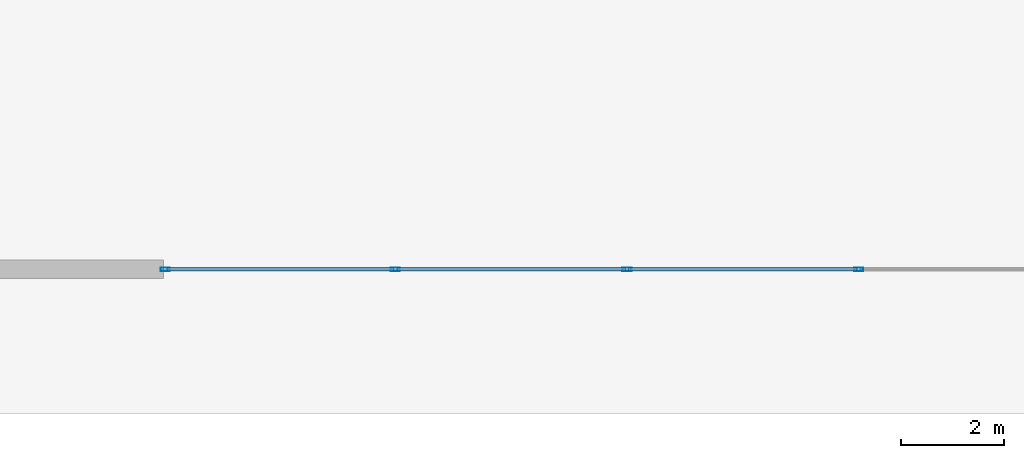
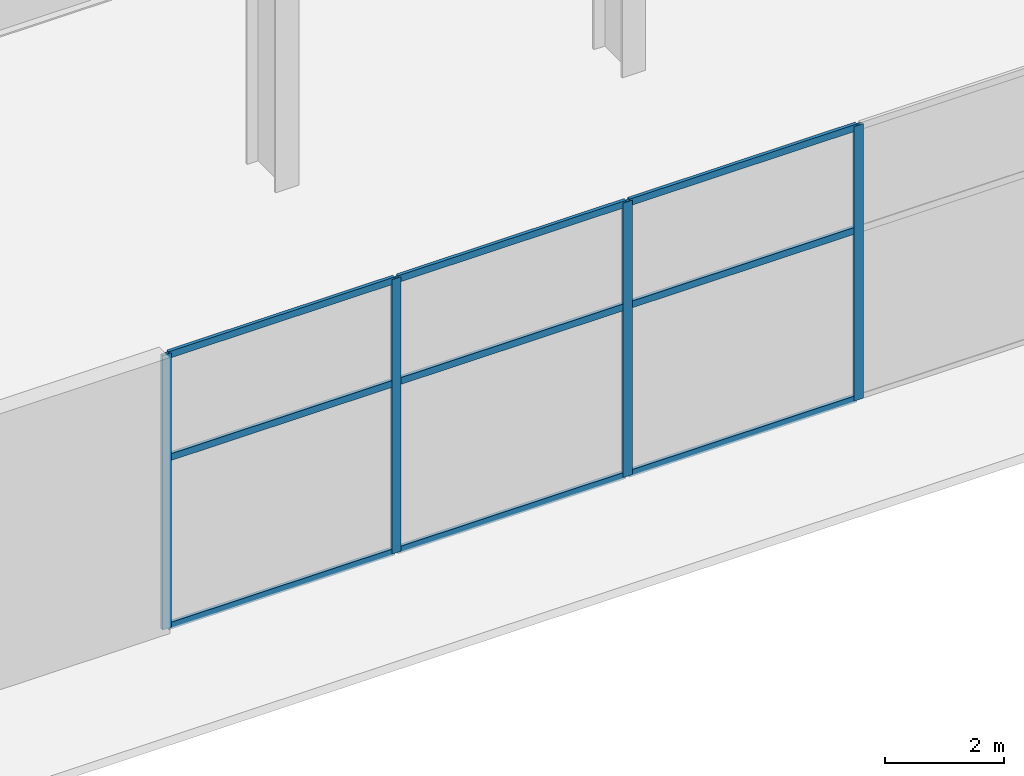
# One storey, part 4 of 30: 13 members, 1 element without a shape of its own.
"""IFC4 building model written with IfcOpenShell, lengths in metres."""

from ifc_helpers import new_model, si_unit, direction, frame, origin, origin_2d, place, context, subcontext, project, spatial, hollow_rectangle, extrude, material, layer, layer_set, material_profile, profile_set, type_object, element, aggregate, save


model = new_model("IFC4")

# Units and contexts
model_context = context("Model", 3, precision=1e-05, world=origin(), true_north=direction((0.0, 1.0)))
body_context = subcontext(model_context, "Body", "Model", "MODEL_VIEW")
ifc_project = project(units=[si_unit("LENGTHUNIT", "METRE"), si_unit("AREAUNIT", "SQUARE_METRE"), si_unit("VOLUMEUNIT", "CUBIC_METRE"), si_unit("PLANEANGLEUNIT", "RADIAN"), si_unit("MASSUNIT", "GRAM", prefix="KILO")], contexts=[model_context])

# Site, building, storey
site_placement = place(None, origin())
site = spatial("IfcSite", under=ifc_project, at=site_placement, CompositionType="ELEMENT")
building_placement = place(site_placement, origin())
building = spatial("IfcBuilding", under=site, at=building_placement, Name="Haevon Station Towers", CompositionType="ELEMENT")
storey_placement = place(building_placement, origin())
storey = spatial("IfcBuildingStorey", under=building, at=storey_placement, Name="L00", CompositionType="ELEMENT", Elevation=0.0)

# Curtain wall, members
ifc_material_1 = material(Name="Anodised aluminium and Low-E double glazing", Category="aluminium")
ifc_layer = layer(ifc_material_1, 0.179931640625)
ifc_layer_set = layer_set([ifc_layer], Name="Anodised aluminium and Low-E double glazing")
curtain_wall_type = type_object("IfcCurtainWallType", Name="CW-SYS1", PredefinedType="NOTDEFINED", material=ifc_layer_set)
curtain_wall_placement = place(storey_placement, origin())
curtain_wall = element("IfcCurtainWall", 1, at=curtain_wall_placement, inside=storey, type_object=curtain_wall_type, Name="L00 Curtain Wall CW-POD-L00-S2", PredefinedType="NOTDEFINED")
ifc_material_2 = material(Name="Anodised aluminium 6063-T6", Category="aluminium")
ifc_material_profile_1 = material_profile(ifc_material_2, hollow_rectangle(XDim=0.06494140625, YDim=0.179931640625, WallThickness=0.00390625, at=origin_2d()), Name="CWM-180x65x4")
ifc_profile_set_1 = profile_set([ifc_material_profile_1], Name="Anodised aluminium 6063-T6")
member_type_1 = type_object("IfcMemberType", Name="CWM-180", PredefinedType="MULLION", material=ifc_profile_set_1)
member_1_placement = place(storey_placement, frame((49.5, 4.5, 0.0), z_axis=(0.0, 0.0, 1.0), x_axis=(0.0, -1.0, 0.0)))
member_1 = element("IfcMember", 2, at=member_1_placement, type_object=member_type_1, Name="CW-SYS1 mullion 2", PredefinedType="MULLION", context=body_context, shape_type="SweptSolid", body=[
    extrude(hollow_rectangle(XDim=0.06494140625, YDim=0.179931640625, WallThickness=0.00390625, at=origin_2d()), origin(), (0.0, 0.0, 1.0), 5.64990234375),
])
member_2_placement = place(storey_placement, frame((45.0, 4.5, 0.0), z_axis=(0.0, 0.0, 1.0), x_axis=(0.0, -1.0, 0.0)))
member_2 = element("IfcMember", 3, at=member_2_placement, type_object=member_type_1, Name="CW-SYS1 mullion 3", PredefinedType="MULLION", context=body_context, shape_type="SweptSolid", body=[
    extrude(hollow_rectangle(XDim=0.06494140625, YDim=0.179931640625, WallThickness=0.00390625, at=origin_2d()), origin(), (0.0, 0.0, 1.0), 5.64990234375),
])
member_3_placement = place(storey_placement, frame((40.5, 4.5, 0.0), z_axis=(0.0, 0.0, 1.0), x_axis=(0.0, -1.0, 0.0)))
member_3 = element("IfcMember", 4, at=member_3_placement, type_object=member_type_1, Name="CW-SYS1 mullion 4", PredefinedType="MULLION", context=body_context, shape_type="SweptSolid", body=[
    extrude(hollow_rectangle(XDim=0.06494140625, YDim=0.179931640625, WallThickness=0.00390625, at=origin_2d()), origin(), (0.0, 0.0, 1.0), 5.64990234375),
])
member_4_placement = place(storey_placement, frame((36.032470703125, 4.5, 0.0), z_axis=(0.0, 0.0, 1.0), x_axis=(0.0, -1.0, 0.0)))
member_4 = element("IfcMember", 5, at=member_4_placement, type_object=member_type_1, Name="CW-SYS1 mullion 5", PredefinedType="MULLION", context=body_context, shape_type="SweptSolid", body=[
    extrude(hollow_rectangle(XDim=0.06494140625, YDim=0.179931640625, WallThickness=0.00390625, at=origin_2d()), origin(), (0.0, 0.0, 1.0), 5.64990234375),
])
ifc_material_profile_2 = material_profile(ifc_material_2, hollow_rectangle(XDim=0.06494140625, YDim=0.139892578125, WallThickness=0.00341796875, at=origin_2d()), Name="CWT-140x65x3.5")
ifc_profile_set_2 = profile_set([ifc_material_profile_2], Name="Anodised aluminium 6063-T6")
member_type_2 = type_object("IfcMemberType", Name="CWT-140", PredefinedType="USERDEFINED", material=ifc_profile_set_2)
member_5_placement = place(storey_placement, frame((49.467529296875, 4.5, 0.032470703125), z_axis=(-1.0, 0.0, 0.0), x_axis=(0.0, -1.0, 0.0)))
member_5 = element("IfcMember", 6, at=member_5_placement, type_object=member_type_2, Name="CW-SYS1 transom 2.1", ObjectType="TRANSOM", PredefinedType="USERDEFINED", context=body_context, shape_type="SweptSolid", body=[
    extrude(hollow_rectangle(XDim=0.06494140625, YDim=0.139892578125, WallThickness=0.00341796875, at=origin_2d()), origin(), (0.0, 0.0, 1.0), 4.43505859375),
])
member_6_placement = place(storey_placement, frame((49.467529296875, 4.5, 3.5029296875), z_axis=(-1.0, 0.0, 0.0), x_axis=(0.0, -1.0, 0.0)))
member_6 = element("IfcMember", 7, at=member_6_placement, type_object=member_type_2, Name="CW-SYS1 transom 2.2", ObjectType="TRANSOM", PredefinedType="USERDEFINED", context=body_context, shape_type="SweptSolid", body=[
    extrude(hollow_rectangle(XDim=0.06494140625, YDim=0.139892578125, WallThickness=0.00341796875, at=origin_2d()), origin(), (0.0, 0.0, 1.0), 4.43505859375),
])
member_7_placement = place(storey_placement, frame((49.467529296875, 4.5, 5.617431640625), z_axis=(-1.0, 0.0, 0.0), x_axis=(0.0, -1.0, 0.0)))
member_7 = element("IfcMember", 8, at=member_7_placement, type_object=member_type_2, Name="CW-SYS1 transom 2.3", ObjectType="TRANSOM", PredefinedType="USERDEFINED", context=body_context, shape_type="SweptSolid", body=[
    extrude(hollow_rectangle(XDim=0.06494140625, YDim=0.139892578125, WallThickness=0.00341796875, at=origin_2d()), origin(), (0.0, 0.0, 1.0), 4.43505859375),
])
member_8_placement = place(storey_placement, frame((44.967529296875, 4.5, 0.032470703125), z_axis=(-1.0, 0.0, 0.0), x_axis=(0.0, -1.0, 0.0)))
member_8 = element("IfcMember", 9, at=member_8_placement, type_object=member_type_2, Name="CW-SYS1 transom 3.1", ObjectType="TRANSOM", PredefinedType="USERDEFINED", context=body_context, shape_type="SweptSolid", body=[
    extrude(hollow_rectangle(XDim=0.06494140625, YDim=0.139892578125, WallThickness=0.00341796875, at=origin_2d()), origin(), (0.0, 0.0, 1.0), 4.43505859375),
])
member_9_placement = place(storey_placement, frame((44.967529296875, 4.5, 3.5029296875), z_axis=(-1.0, 0.0, 0.0), x_axis=(0.0, -1.0, 0.0)))
member_9 = element("IfcMember", 10, at=member_9_placement, type_object=member_type_2, Name="CW-SYS1 transom 3.2", ObjectType="TRANSOM", PredefinedType="USERDEFINED", context=body_context, shape_type="SweptSolid", body=[
    extrude(hollow_rectangle(XDim=0.06494140625, YDim=0.139892578125, WallThickness=0.00341796875, at=origin_2d()), origin(), (0.0, 0.0, 1.0), 4.43505859375),
])
member_10_placement = place(storey_placement, frame((44.967529296875, 4.5, 5.617431640625), z_axis=(-1.0, 0.0, 0.0), x_axis=(0.0, -1.0, 0.0)))
member_10 = element("IfcMember", 11, at=member_10_placement, type_object=member_type_2, Name="CW-SYS1 transom 3.3", ObjectType="TRANSOM", PredefinedType="USERDEFINED", context=body_context, shape_type="SweptSolid", body=[
    extrude(hollow_rectangle(XDim=0.06494140625, YDim=0.139892578125, WallThickness=0.00341796875, at=origin_2d()), origin(), (0.0, 0.0, 1.0), 4.43505859375),
])
member_11_placement = place(storey_placement, frame((40.467529296875, 4.5, 0.032470703125), z_axis=(-1.0, 0.0, 0.0), x_axis=(0.0, -1.0, 0.0)))
member_11 = element("IfcMember", 12, at=member_11_placement, type_object=member_type_2, Name="CW-SYS1 transom 4.1", ObjectType="TRANSOM", PredefinedType="USERDEFINED", context=body_context, shape_type="SweptSolid", body=[
    extrude(hollow_rectangle(XDim=0.06494140625, YDim=0.139892578125, WallThickness=0.00341796875, at=origin_2d()), origin(), (0.0, 0.0, 1.0), 4.402587890625),
])
member_12_placement = place(storey_placement, frame((40.467529296875, 4.5, 3.5029296875), z_axis=(-1.0, 0.0, 0.0), x_axis=(0.0, -1.0, 0.0)))
member_12 = element("IfcMember", 13, at=member_12_placement, type_object=member_type_2, Name="CW-SYS1 transom 4.2", ObjectType="TRANSOM", PredefinedType="USERDEFINED", context=body_context, shape_type="SweptSolid", body=[
    extrude(hollow_rectangle(XDim=0.06494140625, YDim=0.139892578125, WallThickness=0.00341796875, at=origin_2d()), origin(), (0.0, 0.0, 1.0), 4.402587890625),
])
member_13_placement = place(storey_placement, frame((40.467529296875, 4.5, 5.617431640625), z_axis=(-1.0, 0.0, 0.0), x_axis=(0.0, -1.0, 0.0)))
member_13 = element("IfcMember", 14, at=member_13_placement, type_object=member_type_2, Name="CW-SYS1 transom 4.3", ObjectType="TRANSOM", PredefinedType="USERDEFINED", context=body_context, shape_type="SweptSolid", body=[
    extrude(hollow_rectangle(XDim=0.06494140625, YDim=0.139892578125, WallThickness=0.00341796875, at=origin_2d()), origin(), (0.0, 0.0, 1.0), 4.402587890625),
])
aggregate(curtain_wall, [member_1, member_2, member_3, member_4, member_5, member_6, member_7, member_8, member_9, member_10, member_11, member_12, member_13])

save(model, "model.ifc")
